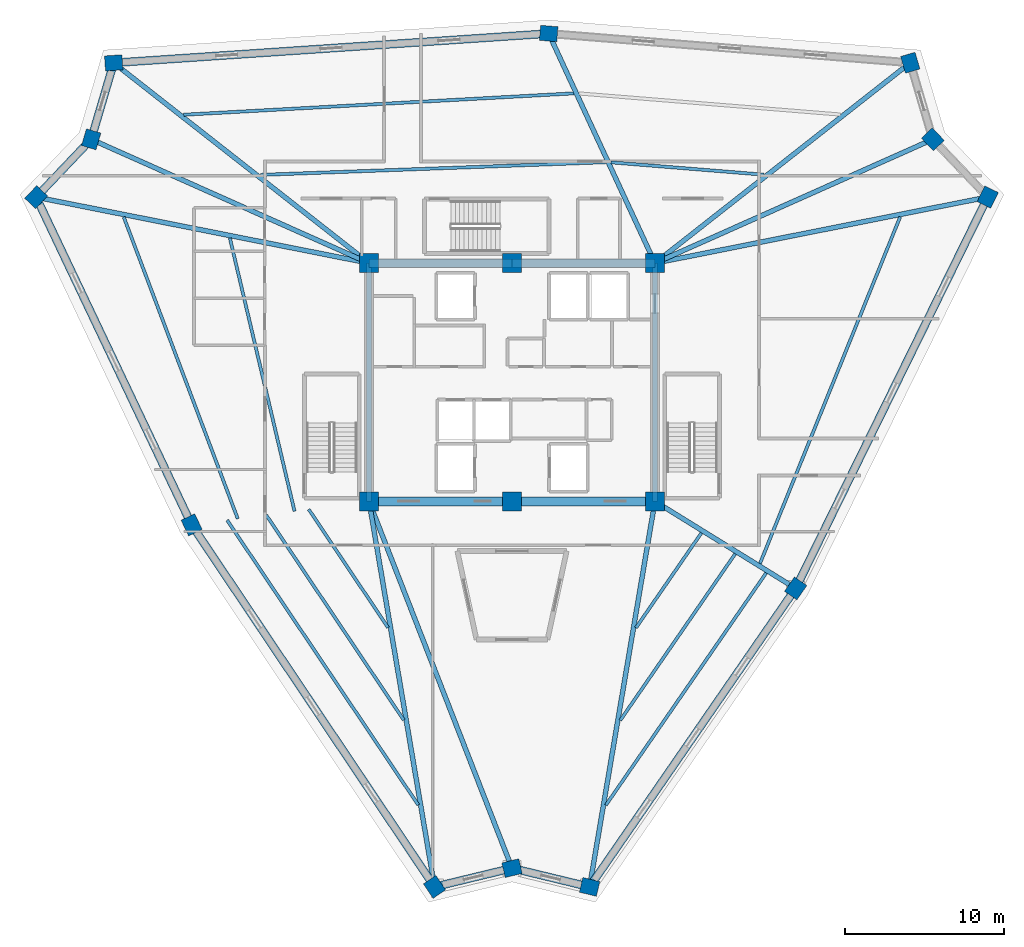
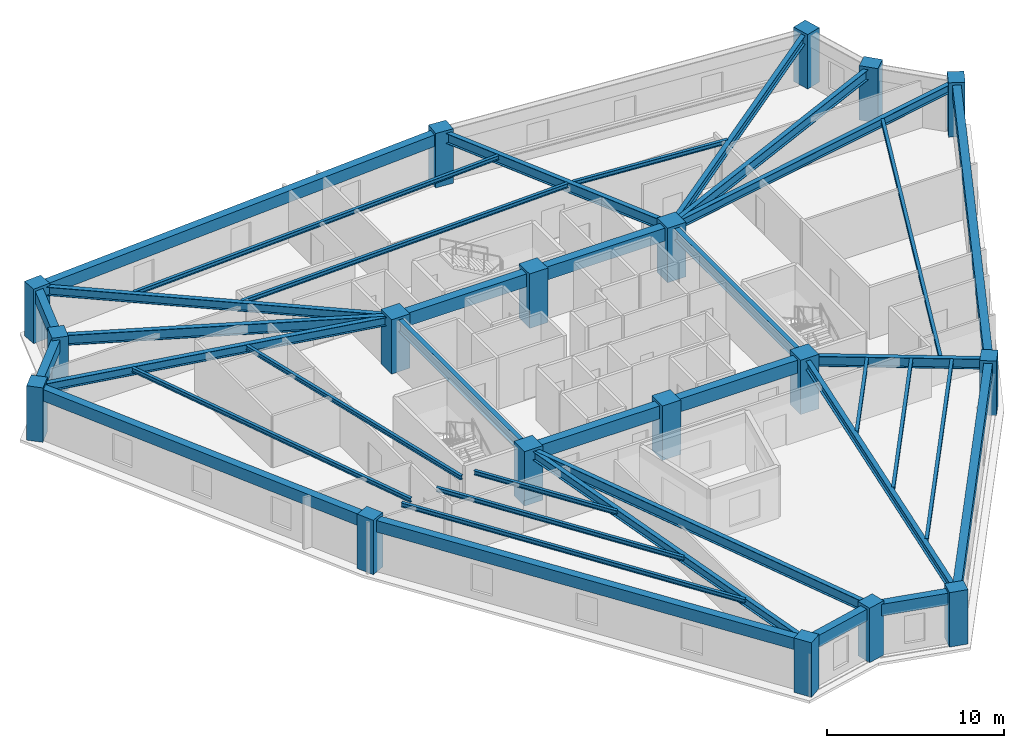
# One storey, part 1 of 10: 38 beams, 18 columns.
"""IFC4 building model written with IfcOpenShell, lengths in metres."""

from ifc_helpers import new_model, si_unit, direction, frame, origin, origin_2d, place, context, subcontext, project, spatial, rectangle, i_section, extrude, source, transform, mapped, material, material_profile, profile_set, type_object, element, save


model = new_model("IFC4")

# Units and contexts
model_context = context("Model", 3, precision=1e-05, world=origin(), true_north=direction((0.0, 1.0)))
body_context = subcontext(model_context, "Body", "Model", "MODEL_VIEW")
ifc_project = project(units=[si_unit("LENGTHUNIT", "METRE"), si_unit("AREAUNIT", "SQUARE_METRE"), si_unit("VOLUMEUNIT", "CUBIC_METRE"), si_unit("PLANEANGLEUNIT", "RADIAN"), si_unit("MASSUNIT", "GRAM", prefix="KILO")], contexts=[model_context])

# Site, building, storey
site_placement = place(None, origin())
site = spatial("IfcSite", under=ifc_project, at=site_placement, CompositionType="ELEMENT")
building_placement = place(site_placement, origin())
building = spatial("IfcBuilding", under=site, at=building_placement, Name="Liaohun Quay Tower", CompositionType="ELEMENT")
storey_placement = place(building_placement, frame((0.0, 0.0, 309.0)))
storey = spatial("IfcBuildingStorey", under=building, at=storey_placement, Name="L80", CompositionType="ELEMENT", Elevation=309.0)

# Columns
ifc_material_1 = material(Name="Concrete C50", Category="concrete")
ifc_material_profile_1 = material_profile(ifc_material_1, rectangle(XDim=1.199951171875, YDim=1.199951171875, at=origin_2d()), Name="RC1200x1200")
ifc_profile_set_1 = profile_set([ifc_material_profile_1], Name="Concrete C50")
column_type_1 = type_object("IfcColumnType", Name="COL-CC-Z4", PredefinedType="COLUMN", material=ifc_profile_set_1)
shared_shape_1 = source(origin(), body_context, "Body", "SweptSolid", [
    extrude(rectangle(XDim=1.199951171875, YDim=1.199951171875, at=origin_2d()), origin(), (0.0, 0.0, 1.0), 3.75),
])
for number, where, z_axis, x_axis, name in (
    (1, (51.0, 46.5, 0.0), (0.0, 0.0, 1.0), (1.0, 0.0, 0.0), "L80 Core Column CC1"),
    (2, (60.0, 46.5, 0.0), (0.0, 0.0, 1.0), (1.0, 0.0, 0.0), "L80 Core Column CC2"),
    (3, (69.0, 46.5, 0.0), (0.0, 0.0, 1.0), (1.0, 0.0, 0.0), "L80 Core Column CC3"),
    (4, (69.0, 61.5, 0.0), (0.0, 0.0, 1.0), (1.0, 0.0, 0.0), "L80 Core Column CC4"),
    (5, (60.0, 61.5, 0.0), (0.0, 0.0, 1.0), (1.0, 0.0, 0.0), "L80 Core Column CC5"),
    (6, (51.0, 61.5, 0.0), (0.0, 0.0, 1.0), (1.0, 0.0, 0.0), "L80 Core Column CC6"),
):
    element("IfcColumn", number, at=place(storey_placement, frame(where, z_axis=z_axis, x_axis=x_axis)), inside=storey, type_object=column_type_1, Name=name, PredefinedType="COLUMN", context=body_context, shape_type="MappedRepresentation", body=[
        mapped(shared_shape_1, transform((0.0, 0.0, 0.0), x_axis=(1.0, 0.0, 0.0), y_axis=(0.0, 1.0, 0.0), z_axis=(0.0, 0.0, 1.0), scale=1.0)),
    ])
ifc_material_profile_2 = material_profile(ifc_material_1, rectangle(XDim=1.10009765625, YDim=0.949951171875, at=origin_2d()), Name="RC1100x950")
ifc_profile_set_2 = profile_set([ifc_material_profile_2], Name="Concrete C50")
column_type_2 = type_object("IfcColumnType", Name="COL-PIER-Z4", PredefinedType="COLUMN", material=ifc_profile_set_2)
shared_shape_2 = source(origin(), body_context, "Body", "SweptSolid", [
    extrude(rectangle(XDim=1.10009765625, YDim=0.949951171875, at=origin_2d()), origin(), (0.0, 0.0, 1.0), 3.75),
])
for number, where, z_axis, x_axis, name in (
    (7, (55.123046875, 22.22998046875, 0.0), (0.0, 0.0, 1.0), (-0.557165515219, 0.830401462336, 0.0), "L80 Perimeter Pier PC01"),
    (8, (39.8310546875, 45.02197265625, 0.0), (0.0, 0.0, 1.0), (-0.428619783775, 0.903484964433, 0.0), "L80 Perimeter Pier PC02"),
    (9, (30.0419921875, 65.655029296875, 0.0), (0.0, 0.0, 1.0), (0.68936671806, 0.724412539946, 0.0), "L80 Perimeter Pier PC03"),
    (10, (33.507080078125, 69.2958984375, 0.0), (0.0, 0.0, 1.0), (0.282508884416, 0.959264682049, 0.0), "L80 Perimeter Pier PC04"),
    (11, (34.925048828125, 74.10888671875, 0.0), (0.0, 0.0, 1.0), (0.997731519333, 0.067318759124, 0.0), "L80 Perimeter Pier PC05"),
    (12, (62.30908203125, 75.9560546875, 0.0), (0.0, 0.0, 1.0), (-0.996750823024, 0.080546860903, 0.0), "L80 Perimeter Pier PC06"),
    (13, (85.072998046875, 74.116943359375, 0.0), (0.0, 0.0, 1.0), (-0.282508884416, 0.959264682049, 0.0), "L80 Perimeter Pier PC07"),
    (14, (86.492919921875, 69.2958984375, 0.0), (0.0, 0.0, 1.0), (-0.68936671806, 0.724412539946, 0.0), "L80 Perimeter Pier PC08"),
    (15, (89.951904296875, 65.660888671875, 0.0), (0.0, 0.0, 1.0), (0.440566004113, 0.897720221461, 0.0), "L80 Perimeter Pier PC09"),
    (16, (77.860107421875, 41.02197265625, 0.0), (0.0, 0.0, 1.0), (0.568131039249, 0.82293810353, 0.0), "L80 Perimeter Pier PC10"),
    (17, (64.885009765625, 22.22802734375, 0.0), (0.0, 0.0, 1.0), (-0.972043021443, 0.234802820391, 0.0), "L80 Perimeter Pier PC11"),
    (18, (60.0, 23.407958984375, 0.0), (0.0, 0.0, 1.0), (0.972043021443, 0.234802820391, 0.0), "L80 Perimeter Pier PC12"),
):
    element("IfcColumn", number, at=place(storey_placement, frame(where, z_axis=z_axis, x_axis=x_axis)), inside=storey, type_object=column_type_2, Name=name, PredefinedType="COLUMN", context=body_context, shape_type="MappedRepresentation", body=[
        mapped(shared_shape_2, transform((0.0, 0.0, 0.0), x_axis=(1.0, 0.0, 0.0), y_axis=(0.0, 1.0, 0.0), z_axis=(0.0, 0.0, 1.0), scale=1.0)),
    ])

# Beams
ifc_material_2 = material(Name="Steel Q355D", Category="steel")
ifc_material_profile_3 = material_profile(ifc_material_2, i_section(OverallWidth=0.300048828125, OverallDepth=0.800048828125, WebThickness=0.013916015625, FlangeThickness=0.02587890625, at=origin_2d()), Name="HN800x300x14x26")
ifc_profile_set_3 = profile_set([ifc_material_profile_3], Name="Steel Q355D")
beam_type_1 = type_object("IfcBeamType", Name="BM-RAD-M1", PredefinedType="BEAM", material=ifc_profile_set_3)
shared_shape_3 = source(origin(), body_context, "Body", "SweptSolid", [
    extrude(i_section(OverallWidth=0.300048828125, OverallDepth=0.800048828125, WebThickness=0.013916015625, FlangeThickness=0.02587890625, at=origin_2d()), origin(), (0.0, 0.0, 1.0), 15.0),
])
for number, where, z_axis, x_axis, name in (
    (19, (69.0, 46.5, 3.169921875), (0.0, 1.0, 0.0), (-1.0, 0.0, 0.0), "L80 Core Coupling/Ring Beam CC3-CC4"),
    (20, (51.0, 61.5, 3.169921875), (0.0, -1.0, 0.0), (1.0, 0.0, 0.0), "L80 Core Coupling/Ring Beam CC6-CC1"),
):
    element("IfcBeam", number, at=place(storey_placement, frame(where, z_axis=z_axis, x_axis=x_axis)), inside=storey, type_object=beam_type_1, Name=name, PredefinedType="BEAM", context=body_context, shape_type="MappedRepresentation", body=[
        mapped(shared_shape_3, transform((0.0, 0.0, 0.0), x_axis=(1.0, 0.0, 0.0), y_axis=(0.0, 1.0, 0.0), z_axis=(0.0, 0.0, 1.0), scale=1.0)),
    ])
ifc_material_3 = material(Name="Concrete C55", Category="concrete")
ifc_material_profile_4 = material_profile(ifc_material_3, rectangle(XDim=0.550048828125, YDim=0.89990234375, at=origin_2d()), Name="RC550x900")
ifc_profile_set_4 = profile_set([ifc_material_profile_4], Name="Concrete C55")
beam_type_2 = type_object("IfcBeamType", Name="BM-CPL-2", PredefinedType="LINTEL", material=ifc_profile_set_4)
shared_shape_4 = source(origin(), body_context, "Body", "SweptSolid", [
    extrude(rectangle(XDim=0.550048828125, YDim=0.89990234375, at=origin_2d()), origin(), (0.0, 0.0, 1.0), 9.0),
])
for number, where, z_axis, x_axis, name in (
    (21, (51.0, 46.5, 3.1201171875), (1.0, 0.0, 0.0), (0.0, 1.0, 0.0), "L80 Core Coupling/Ring Beam CC1-CC2"),
    (22, (60.0, 46.5, 3.1201171875), (1.0, 0.0, 0.0), (0.0, 1.0, 0.0), "L80 Core Coupling/Ring Beam CC2-CC3"),
    (23, (69.0, 61.5, 3.1201171875), (-1.0, 0.0, 0.0), (0.0, -1.0, 0.0), "L80 Core Coupling/Ring Beam CC4-CC5"),
    (24, (60.0, 61.5, 3.1201171875), (-1.0, 0.0, 0.0), (0.0, -1.0, 0.0), "L80 Core Coupling/Ring Beam CC5-CC6"),
):
    element("IfcBeam", number, at=place(storey_placement, frame(where, z_axis=z_axis, x_axis=x_axis)), inside=storey, type_object=beam_type_2, Name=name, PredefinedType="LINTEL", context=body_context, shape_type="MappedRepresentation", body=[
        mapped(shared_shape_4, transform((0.0, 0.0, 0.0), x_axis=(1.0, 0.0, 0.0), y_axis=(0.0, 1.0, 0.0), z_axis=(0.0, 0.0, 1.0), scale=1.0)),
    ])
ifc_material_profile_5 = material_profile(ifc_material_2, i_section(OverallWidth=0.300048828125, OverallDepth=0.587890625, WebThickness=0.011962890625, FlangeThickness=0.02001953125, at=origin_2d()), Name="HM588x300x12x20")
ifc_profile_set_5 = profile_set([ifc_material_profile_5], Name="Steel Q355D")
beam_type_3 = type_object("IfcBeamType", Name="BM-RAD-U2", PredefinedType="BEAM", material=ifc_profile_set_5)
shared_shape_5 = source(origin(), body_context, "Body", "SweptSolid", [
    extrude(i_section(OverallWidth=0.300048828125, OverallDepth=0.587890625, WebThickness=0.011962890625, FlangeThickness=0.02001953125, at=origin_2d()), origin(), (0.0, 0.0, 1.0), 24.61767578125),
])
beam_1_placement = place(storey_placement, frame((51.0, 46.5, 3.27587890625), z_axis=(0.167482720007, -0.985875011601, 0.0), x_axis=(0.985875011601, 0.167482720007, 0.0)))
element("IfcBeam", 25, at=beam_1_placement, inside=storey, type_object=beam_type_3, Name="L80 Radial Primary Girder CC1-PC01", PredefinedType="BEAM", context=body_context, shape_type="MappedRepresentation", body=[
    mapped(shared_shape_5, transform((0.0, 0.0, 0.0), x_axis=(1.0, 0.0, 0.0), y_axis=(0.0, 1.0, 0.0), z_axis=(0.0, 0.0, 1.0), scale=1.0)),
])
shared_shape_6 = source(origin(), body_context, "Body", "SweptSolid", [
    extrude(i_section(OverallWidth=0.300048828125, OverallDepth=0.587890625, WebThickness=0.011962890625, FlangeThickness=0.02001953125, at=origin_2d()), origin(), (0.0, 0.0, 1.0), 21.365966796875),
])
beam_2_placement = place(storey_placement, frame((51.0, 61.5, 3.27587890625), z_axis=(-0.980908469538, 0.194469983261, 0.0), x_axis=(-0.194469983261, -0.980908469538, 0.0)))
element("IfcBeam", 26, at=beam_2_placement, inside=storey, type_object=beam_type_3, Name="L80 Radial Primary Girder CC6-PC03", PredefinedType="BEAM", context=body_context, shape_type="MappedRepresentation", body=[
    mapped(shared_shape_6, transform((0.0, 0.0, 0.0), x_axis=(1.0, 0.0, 0.0), y_axis=(0.0, 1.0, 0.0), z_axis=(0.0, 0.0, 1.0), scale=1.0)),
])
ifc_material_profile_6 = material_profile(ifc_material_2, i_section(OverallWidth=0.300048828125, OverallDepth=0.699951171875, WebThickness=0.012939453125, FlangeThickness=0.02392578125, at=origin_2d()), Name="HN700x300x13x24")
ifc_profile_set_6 = profile_set([ifc_material_profile_6], Name="Steel Q355D")
beam_type_4 = type_object("IfcBeamType", Name="BM-RAD-U1", PredefinedType="BEAM", material=ifc_profile_set_6)
shared_shape_7 = source(origin(), body_context, "Body", "SweptSolid", [
    extrude(i_section(OverallWidth=0.300048828125, OverallDepth=0.699951171875, WebThickness=0.012939453125, FlangeThickness=0.02392578125, at=origin_2d()), origin(), (0.0, 0.0, 1.0), 19.1513671875),
])
for number, where, z_axis, x_axis, name in (
    (27, (51.0, 61.5, 3.219970703125), (-0.913398940203, 0.407065567244, 0.0), (-0.407065567244, -0.913398940203, 0.0), "L80 Radial Primary Girder CC6-PC04"),
    (28, (69.0, 61.5, 3.219970703125), (0.913398940203, 0.407065567244, 0.0), (-0.407065567244, 0.913398940203, 0.0), "L80 Radial Primary Girder CC4-PC08"),
):
    element("IfcBeam", number, at=place(storey_placement, frame(where, z_axis=z_axis, x_axis=x_axis)), inside=storey, type_object=beam_type_4, Name=name, PredefinedType="BEAM", context=body_context, shape_type="MappedRepresentation", body=[
        mapped(shared_shape_7, transform((0.0, 0.0, 0.0), x_axis=(1.0, 0.0, 0.0), y_axis=(0.0, 1.0, 0.0), z_axis=(0.0, 0.0, 1.0), scale=1.0)),
    ])
shared_shape_8 = source(origin(), body_context, "Body", "SweptSolid", [
    extrude(i_section(OverallWidth=0.300048828125, OverallDepth=0.587890625, WebThickness=0.011962890625, FlangeThickness=0.02001953125, at=origin_2d()), origin(), (0.0, 0.0, 1.0), 20.43017578125),
])
beam_3_placement = place(storey_placement, frame((51.0, 61.5, 3.27587890625), z_axis=(-0.786827701717, 0.617172721214, 0.0), x_axis=(-0.617172721214, -0.786827701717, 0.0)))
element("IfcBeam", 29, at=beam_3_placement, inside=storey, type_object=beam_type_3, Name="L80 Radial Primary Girder CC6-PC05", PredefinedType="BEAM", context=body_context, shape_type="MappedRepresentation", body=[
    mapped(shared_shape_8, transform((0.0, 0.0, 0.0), x_axis=(1.0, 0.0, 0.0), y_axis=(0.0, 1.0, 0.0), z_axis=(0.0, 0.0, 1.0), scale=1.0)),
])
shared_shape_9 = source(origin(), body_context, "Body", "SweptSolid", [
    extrude(i_section(OverallWidth=0.300048828125, OverallDepth=0.699951171875, WebThickness=0.012939453125, FlangeThickness=0.02392578125, at=origin_2d()), origin(), (0.0, 0.0, 1.0), 15.929443359375),
])
beam_4_placement = place(storey_placement, frame((69.0, 61.5, 3.219970703125), z_axis=(-0.420035684894, 0.907507588627, 0.0), x_axis=(-0.907507588627, -0.420035684894, 0.0)))
element("IfcBeam", 30, at=beam_4_placement, inside=storey, type_object=beam_type_4, Name="L80 Radial Primary Girder CC4-PC06", PredefinedType="BEAM", context=body_context, shape_type="MappedRepresentation", body=[
    mapped(shared_shape_9, transform((0.0, 0.0, 0.0), x_axis=(1.0, 0.0, 0.0), y_axis=(0.0, 1.0, 0.0), z_axis=(0.0, 0.0, 1.0), scale=1.0)),
])
shared_shape_10 = source(origin(), body_context, "Body", "SweptSolid", [
    extrude(i_section(OverallWidth=0.300048828125, OverallDepth=0.587890625, WebThickness=0.011962890625, FlangeThickness=0.02001953125, at=origin_2d()), origin(), (0.0, 0.0, 1.0), 20.43359375),
])
beam_5_placement = place(storey_placement, frame((69.0, 61.5, 3.27587890625), z_axis=(0.786599771307, 0.617463197105, 0.0), x_axis=(-0.617463197105, 0.786599771307, 0.0)))
element("IfcBeam", 31, at=beam_5_placement, inside=storey, type_object=beam_type_3, Name="L80 Radial Primary Girder CC4-PC07", PredefinedType="BEAM", context=body_context, shape_type="MappedRepresentation", body=[
    mapped(shared_shape_10, transform((0.0, 0.0, 0.0), x_axis=(1.0, 0.0, 0.0), y_axis=(0.0, 1.0, 0.0), z_axis=(0.0, 0.0, 1.0), scale=1.0)),
])
shared_shape_11 = source(origin(), body_context, "Body", "SweptSolid", [
    extrude(i_section(OverallWidth=0.300048828125, OverallDepth=0.587890625, WebThickness=0.011962890625, FlangeThickness=0.02001953125, at=origin_2d()), origin(), (0.0, 0.0, 1.0), 21.361083984375),
])
beam_6_placement = place(storey_placement, frame((69.0, 61.5, 3.27587890625), z_axis=(0.980845286904, 0.194788406119, 0.0), x_axis=(-0.194788406119, 0.980845286904, 0.0)))
element("IfcBeam", 32, at=beam_6_placement, inside=storey, type_object=beam_type_3, Name="L80 Radial Primary Girder CC4-PC09", PredefinedType="BEAM", context=body_context, shape_type="MappedRepresentation", body=[
    mapped(shared_shape_11, transform((0.0, 0.0, 0.0), x_axis=(1.0, 0.0, 0.0), y_axis=(0.0, 1.0, 0.0), z_axis=(0.0, 0.0, 1.0), scale=1.0)),
])
shared_shape_12 = source(origin(), body_context, "Body", "SweptSolid", [
    extrude(i_section(OverallWidth=0.300048828125, OverallDepth=0.699951171875, WebThickness=0.012939453125, FlangeThickness=0.02392578125, at=origin_2d()), origin(), (0.0, 0.0, 1.0), 10.416748046875),
])
beam_7_placement = place(storey_placement, frame((69.0, 46.5, 3.219970703125), z_axis=(0.850557211481, -0.525882524902, 0.0), x_axis=(0.525882524902, 0.850557211481, 0.0)))
element("IfcBeam", 33, at=beam_7_placement, inside=storey, type_object=beam_type_4, Name="L80 Radial Primary Girder CC3-PC10", PredefinedType="BEAM", context=body_context, shape_type="MappedRepresentation", body=[
    mapped(shared_shape_12, transform((0.0, 0.0, 0.0), x_axis=(1.0, 0.0, 0.0), y_axis=(0.0, 1.0, 0.0), z_axis=(0.0, 0.0, 1.0), scale=1.0)),
])
shared_shape_13 = source(origin(), body_context, "Body", "SweptSolid", [
    extrude(i_section(OverallWidth=0.300048828125, OverallDepth=0.587890625, WebThickness=0.011962890625, FlangeThickness=0.02001953125, at=origin_2d()), origin(), (0.0, 0.0, 1.0), 24.618408203125),
])
beam_8_placement = place(storey_placement, frame((69.0, 46.5, 3.27587890625), z_axis=(-0.167151528677, -0.985931217916, 0.0), x_axis=(0.985931217916, -0.167151528677, 0.0)))
element("IfcBeam", 34, at=beam_8_placement, inside=storey, type_object=beam_type_3, Name="L80 Radial Primary Girder CC3-PC11", PredefinedType="BEAM", context=body_context, shape_type="MappedRepresentation", body=[
    mapped(shared_shape_13, transform((0.0, 0.0, 0.0), x_axis=(1.0, 0.0, 0.0), y_axis=(0.0, 1.0, 0.0), z_axis=(0.0, 0.0, 1.0), scale=1.0)),
])
shared_shape_14 = source(origin(), body_context, "Body", "SweptSolid", [
    extrude(i_section(OverallWidth=0.300048828125, OverallDepth=0.699951171875, WebThickness=0.012939453125, FlangeThickness=0.02392578125, at=origin_2d()), origin(), (0.0, 0.0, 1.0), 24.783935546875),
])
beam_9_placement = place(storey_placement, frame((51.0, 46.5, 3.219970703125), z_axis=(0.363138778468, -0.931735062973, 0.0), x_axis=(0.931735062973, 0.363138778468, 0.0)))
element("IfcBeam", 35, at=beam_9_placement, inside=storey, type_object=beam_type_4, Name="L80 Radial Primary Girder CC1-PC12", PredefinedType="BEAM", context=body_context, shape_type="MappedRepresentation", body=[
    mapped(shared_shape_14, transform((0.0, 0.0, 0.0), x_axis=(1.0, 0.0, 0.0), y_axis=(0.0, 1.0, 0.0), z_axis=(0.0, 0.0, 1.0), scale=1.0)),
])
ifc_material_profile_7 = material_profile(ifc_material_2, i_section(OverallWidth=0.199951171875, OverallDepth=0.2939453125, WebThickness=0.008056640625, FlangeThickness=0.011962890625, at=origin_2d()), Name="HM294x200x8x12")
ifc_profile_set_7 = profile_set([ifc_material_profile_7], Name="Steel Q355D")
beam_type_5 = type_object("IfcBeamType", Name="BM-SEC-J4", PredefinedType="JOIST", material=ifc_profile_set_7)
shared_shape_15 = source(origin(), body_context, "Body", "SweptSolid", [
    extrude(i_section(OverallWidth=0.199951171875, OverallDepth=0.2939453125, WebThickness=0.008056640625, FlangeThickness=0.011962890625, at=origin_2d()), origin(), (0.0, 0.0, 1.0), 8.965576171875),
])
beam_10_placement = place(storey_placement, frame((52.197998046875, 38.552001953125, 3.423095703125), z_axis=(-0.557148590197, 0.830412818086, 0.0), x_axis=(-0.830412818086, -0.557148590197, 0.0)))
element("IfcBeam", 36, at=beam_10_placement, inside=storey, type_object=beam_type_5, Name="L80 Wing Secondary Floor Joist SJ-01", PredefinedType="JOIST", context=body_context, shape_type="MappedRepresentation", body=[
    mapped(shared_shape_15, transform((0.0, 0.0, 0.0), x_axis=(1.0, 0.0, 0.0), y_axis=(0.0, 1.0, 0.0), z_axis=(0.0, 0.0, 1.0), scale=1.0)),
])
shared_shape_16 = source(origin(), body_context, "Body", "SweptSolid", [
    extrude(i_section(OverallWidth=0.199951171875, OverallDepth=0.2939453125, WebThickness=0.008056640625, FlangeThickness=0.011962890625, at=origin_2d()), origin(), (0.0, 0.0, 1.0), 15.553955078125),
])
beam_11_placement = place(storey_placement, frame((53.18798828125, 32.72705078125, 3.423095703125), z_axis=(-0.557160899617, 0.830404559199, 0.0), x_axis=(-0.830404559199, -0.557160899617, 0.0)))
element("IfcBeam", 37, at=beam_11_placement, inside=storey, type_object=beam_type_5, Name="L80 Wing Secondary Floor Joist SJ-02", PredefinedType="JOIST", context=body_context, shape_type="MappedRepresentation", body=[
    mapped(shared_shape_16, transform((0.0, 0.0, 0.0), x_axis=(1.0, 0.0, 0.0), y_axis=(0.0, 1.0, 0.0), z_axis=(0.0, 0.0, 1.0), scale=1.0)),
])
shared_shape_17 = source(origin(), body_context, "Body", "SweptSolid", [
    extrude(i_section(OverallWidth=0.199951171875, OverallDepth=0.2939453125, WebThickness=0.008056640625, FlangeThickness=0.011962890625, at=origin_2d()), origin(), (0.0, 0.0, 1.0), 21.592041015625),
])
beam_12_placement = place(storey_placement, frame((54.094970703125, 27.387939453125, 3.423095703125), z_axis=(-0.557153142682, 0.830409763671, 0.0), x_axis=(-0.830409763671, -0.557153142682, 0.0)))
element("IfcBeam", 38, at=beam_12_placement, inside=storey, type_object=beam_type_5, Name="L80 Wing Secondary Floor Joist SJ-03", PredefinedType="JOIST", context=body_context, shape_type="MappedRepresentation", body=[
    mapped(shared_shape_17, transform((0.0, 0.0, 0.0), x_axis=(1.0, 0.0, 0.0), y_axis=(0.0, 1.0, 0.0), z_axis=(0.0, 0.0, 1.0), scale=1.0)),
])
shared_shape_18 = source(origin(), body_context, "Body", "SweptSolid", [
    extrude(i_section(OverallWidth=0.199951171875, OverallDepth=0.2939453125, WebThickness=0.008056640625, FlangeThickness=0.011962890625, at=origin_2d()), origin(), (0.0, 0.0, 1.0), 17.681640625),
])
beam_13_placement = place(storey_placement, frame((46.30908203125, 45.87890625, 3.423095703125), z_axis=(-0.230352842773, 0.973107171809, 0.0), x_axis=(-0.973107171809, -0.230352842773, 0.0)))
element("IfcBeam", 39, at=beam_13_placement, inside=storey, type_object=beam_type_5, Name="L80 Wing Secondary Floor Joist SJ-04", PredefinedType="JOIST", context=body_context, shape_type="MappedRepresentation", body=[
    mapped(shared_shape_18, transform((0.0, 0.0, 0.0), x_axis=(1.0, 0.0, 0.0), y_axis=(0.0, 1.0, 0.0), z_axis=(0.0, 0.0, 1.0), scale=1.0)),
])
shared_shape_19 = source(origin(), body_context, "Body", "SweptSolid", [
    extrude(i_section(OverallWidth=0.199951171875, OverallDepth=0.2939453125, WebThickness=0.008056640625, FlangeThickness=0.011962890625, at=origin_2d()), origin(), (0.0, 0.0, 1.0), 20.314453125),
])
beam_14_placement = place(storey_placement, frame((42.735107421875, 45.406005859375, 3.423095703125), z_axis=(-0.353498258709, 0.935435182731, 0.0), x_axis=(-0.935435182731, -0.353498258709, 0.0)))
element("IfcBeam", 40, at=beam_14_placement, inside=storey, type_object=beam_type_5, Name="L80 Wing Secondary Floor Joist SJ-05", PredefinedType="JOIST", context=body_context, shape_type="MappedRepresentation", body=[
    mapped(shared_shape_19, transform((0.0, 0.0, 0.0), x_axis=(1.0, 0.0, 0.0), y_axis=(0.0, 1.0, 0.0), z_axis=(0.0, 0.0, 1.0), scale=1.0)),
])
shared_shape_20 = source(origin(), body_context, "Body", "SweptSolid", [
    extrude(i_section(OverallWidth=0.199951171875, OverallDepth=0.2939453125, WebThickness=0.008056640625, FlangeThickness=0.011962890625, at=origin_2d()), origin(), (0.0, 0.0, 1.0), 21.748779296875),
])
beam_15_placement = place(storey_placement, frame((44.158935546875, 67.055908203125, 3.423095703125), z_axis=(0.999324823136, 0.036740956226, 0.0), x_axis=(-0.036740956226, 0.999324823136, 0.0)))
element("IfcBeam", 41, at=beam_15_placement, inside=storey, type_object=beam_type_5, Name="L80 Wing Secondary Floor Joist SJ-06", PredefinedType="JOIST", context=body_context, shape_type="MappedRepresentation", body=[
    mapped(shared_shape_20, transform((0.0, 0.0, 0.0), x_axis=(1.0, 0.0, 0.0), y_axis=(0.0, 1.0, 0.0), z_axis=(0.0, 0.0, 1.0), scale=1.0)),
])
shared_shape_21 = source(origin(), body_context, "Body", "SweptSolid", [
    extrude(i_section(OverallWidth=0.199951171875, OverallDepth=0.2939453125, WebThickness=0.008056640625, FlangeThickness=0.011962890625, at=origin_2d()), origin(), (0.0, 0.0, 1.0), 24.591796875),
])
beam_16_placement = place(storey_placement, frame((39.33203125, 70.843017578125, 3.423095703125), z_axis=(0.998501104565, 0.054731564766, 0.0), x_axis=(-0.054731564766, 0.998501104565, 0.0)))
element("IfcBeam", 42, at=beam_16_placement, inside=storey, type_object=beam_type_5, Name="L80 Wing Secondary Floor Joist SJ-07", PredefinedType="JOIST", context=body_context, shape_type="MappedRepresentation", body=[
    mapped(shared_shape_21, transform((0.0, 0.0, 0.0), x_axis=(1.0, 0.0, 0.0), y_axis=(0.0, 1.0, 0.0), z_axis=(0.0, 0.0, 1.0), scale=1.0)),
])
shared_shape_22 = source(origin(), body_context, "Body", "SweptSolid", [
    extrude(i_section(OverallWidth=0.199951171875, OverallDepth=0.2939453125, WebThickness=0.008056640625, FlangeThickness=0.011962890625, at=origin_2d()), origin(), (0.0, 0.0, 1.0), 9.655517578125),
])
beam_17_placement = place(storey_placement, frame((66.22802734375, 67.846923828125, 3.423095703125), z_axis=(0.996749823222, -0.080559232288, 0.0), x_axis=(0.080559232288, 0.996749823222, 0.0)))
element("IfcBeam", 43, at=beam_17_placement, inside=storey, type_object=beam_type_5, Name="L80 Wing Secondary Floor Joist SJ-08", PredefinedType="JOIST", context=body_context, shape_type="MappedRepresentation", body=[
    mapped(shared_shape_22, transform((0.0, 0.0, 0.0), x_axis=(1.0, 0.0, 0.0), y_axis=(0.0, 1.0, 0.0), z_axis=(0.0, 0.0, 1.0), scale=1.0)),
])
shared_shape_23 = source(origin(), body_context, "Body", "SweptSolid", [
    extrude(i_section(OverallWidth=0.199951171875, OverallDepth=0.2939453125, WebThickness=0.008056640625, FlangeThickness=0.011962890625, at=origin_2d()), origin(), (0.0, 0.0, 1.0), 23.54248046875),
])
beam_18_placement = place(storey_placement, frame((84.43701171875, 64.4130859375, 3.423095703125), z_axis=(-0.374812123102, -0.927100788682, 0.0), x_axis=(0.927100788682, -0.374812123102, 0.0)))
element("IfcBeam", 44, at=beam_18_placement, inside=storey, type_object=beam_type_5, Name="L80 Wing Secondary Floor Joist SJ-11", PredefinedType="JOIST", context=body_context, shape_type="MappedRepresentation", body=[
    mapped(shared_shape_23, transform((0.0, 0.0, 0.0), x_axis=(1.0, 0.0, 0.0), y_axis=(0.0, 1.0, 0.0), z_axis=(0.0, 0.0, 1.0), scale=1.0)),
])
shared_shape_24 = source(origin(), body_context, "Body", "SweptSolid", [
    extrude(i_section(OverallWidth=0.199951171875, OverallDepth=0.2939453125, WebThickness=0.008056640625, FlangeThickness=0.011962890625, at=origin_2d()), origin(), (0.0, 0.0, 1.0), 7.259033203125),
])
beam_19_placement = place(storey_placement, frame((71.927001953125, 44.513916015625, 3.423095703125), z_axis=(-0.568116426812, -0.822948191313, 0.0), x_axis=(0.822948191313, -0.568116426812, 0.0)))
element("IfcBeam", 45, at=beam_19_placement, inside=storey, type_object=beam_type_5, Name="L80 Wing Secondary Floor Joist SJ-12", PredefinedType="JOIST", context=body_context, shape_type="MappedRepresentation", body=[
    mapped(shared_shape_24, transform((0.0, 0.0, 0.0), x_axis=(1.0, 0.0, 0.0), y_axis=(0.0, 1.0, 0.0), z_axis=(0.0, 0.0, 1.0), scale=1.0)),
])
shared_shape_25 = source(origin(), body_context, "Body", "SweptSolid", [
    extrude(i_section(OverallWidth=0.199951171875, OverallDepth=0.2939453125, WebThickness=0.008056640625, FlangeThickness=0.011962890625, at=origin_2d()), origin(), (0.0, 0.0, 1.0), 12.740478515625),
])
beam_20_placement = place(storey_placement, frame((74.052978515625, 43.198974609375, 3.423095703125), z_axis=(-0.568110386388, -0.822952361245, 0.0), x_axis=(0.822952361245, -0.568110386388, 0.0)))
element("IfcBeam", 46, at=beam_20_placement, inside=storey, type_object=beam_type_5, Name="L80 Wing Secondary Floor Joist SJ-13", PredefinedType="JOIST", context=body_context, shape_type="MappedRepresentation", body=[
    mapped(shared_shape_25, transform((0.0, 0.0, 0.0), x_axis=(1.0, 0.0, 0.0), y_axis=(0.0, 1.0, 0.0), z_axis=(0.0, 0.0, 1.0), scale=1.0)),
])
shared_shape_26 = source(origin(), body_context, "Body", "SweptSolid", [
    extrude(i_section(OverallWidth=0.199951171875, OverallDepth=0.2939453125, WebThickness=0.008056640625, FlangeThickness=0.011962890625, at=origin_2d()), origin(), (0.0, 0.0, 1.0), 17.7646484375),
])
beam_21_placement = place(storey_placement, frame((76.0029296875, 41.993896484375, 3.423095703125), z_axis=(-0.568153269859, -0.82292275576, 0.0), x_axis=(0.82292275576, -0.568153269859, 0.0)))
element("IfcBeam", 47, at=beam_21_placement, inside=storey, type_object=beam_type_5, Name="L80 Wing Secondary Floor Joist SJ-14", PredefinedType="JOIST", context=body_context, shape_type="MappedRepresentation", body=[
    mapped(shared_shape_26, transform((0.0, 0.0, 0.0), x_axis=(1.0, 0.0, 0.0), y_axis=(0.0, 1.0, 0.0), z_axis=(0.0, 0.0, 1.0), scale=1.0)),
])
ifc_material_4 = material(Name="Precast concrete C50", Category="concrete")
ifc_material_profile_8 = material_profile(ifc_material_4, rectangle(XDim=0.5, YDim=0.800048828125, at=origin_2d()), Name="RC500x800")
ifc_profile_set_8 = profile_set([ifc_material_profile_8], Name="Precast concrete C50")
beam_type_6 = type_object("IfcBeamType", Name="BM-SPD-Z4", PredefinedType="SPANDREL", material=ifc_profile_set_8)
shared_shape_27 = source(origin(), body_context, "Body", "SweptSolid", [
    extrude(rectangle(XDim=0.5, YDim=0.800048828125, at=origin_2d()), origin(), (0.0, 0.0, 1.0), 27.44677734375),
])
beam_22_placement = place(storey_placement, frame((55.123046875, 22.22998046875, 3.169921875), z_axis=(-0.557152826308, 0.830409975938, 0.0), x_axis=(-0.830409975938, -0.557152826308, 0.0)))
element("IfcBeam", 48, at=beam_22_placement, inside=storey, type_object=beam_type_6, Name="L80 Precast Spandrel Beam PC01-PC02", PredefinedType="SPANDREL", context=body_context, shape_type="MappedRepresentation", body=[
    mapped(shared_shape_27, transform((0.0, 0.0, 0.0), x_axis=(1.0, 0.0, 0.0), y_axis=(0.0, 1.0, 0.0), z_axis=(0.0, 0.0, 1.0), scale=1.0)),
])
shared_shape_28 = source(origin(), body_context, "Body", "SweptSolid", [
    extrude(rectangle(XDim=0.5, YDim=0.800048828125, at=origin_2d()), origin(), (0.0, 0.0, 1.0), 22.83740234375),
])
beam_23_placement = place(storey_placement, frame((39.8310546875, 45.02197265625, 3.169921875), z_axis=(-0.428640929659, 0.90347493237, 0.0), x_axis=(-0.90347493237, -0.428640929659, 0.0)))
element("IfcBeam", 49, at=beam_23_placement, inside=storey, type_object=beam_type_6, Name="L80 Precast Spandrel Beam PC02-PC03", PredefinedType="SPANDREL", context=body_context, shape_type="MappedRepresentation", body=[
    mapped(shared_shape_28, transform((0.0, 0.0, 0.0), x_axis=(1.0, 0.0, 0.0), y_axis=(0.0, 1.0, 0.0), z_axis=(0.0, 0.0, 1.0), scale=1.0)),
])
shared_shape_29 = source(origin(), body_context, "Body", "SweptSolid", [
    extrude(rectangle(XDim=0.5, YDim=0.800048828125, at=origin_2d()), origin(), (0.0, 0.0, 1.0), 5.026123046875),
])
beam_24_placement = place(storey_placement, frame((30.0419921875, 65.655029296875, 3.169921875), z_axis=(0.689404061854, 0.724377000946, 0.0), x_axis=(-0.724377000946, 0.689404061854, 0.0)))
element("IfcBeam", 50, at=beam_24_placement, inside=storey, type_object=beam_type_6, Name="L80 Precast Spandrel Beam PC03-PC04", PredefinedType="SPANDREL", context=body_context, shape_type="MappedRepresentation", body=[
    mapped(shared_shape_29, transform((0.0, 0.0, 0.0), x_axis=(1.0, 0.0, 0.0), y_axis=(0.0, 1.0, 0.0), z_axis=(0.0, 0.0, 1.0), scale=1.0)),
])
shared_shape_30 = source(origin(), body_context, "Body", "SweptSolid", [
    extrude(rectangle(XDim=0.5, YDim=0.800048828125, at=origin_2d()), origin(), (0.0, 0.0, 1.0), 5.017578125),
])
beam_25_placement = place(storey_placement, frame((33.507080078125, 69.2958984375, 3.169921875), z_axis=(0.282603593627, 0.959236784568, 0.0), x_axis=(-0.959236784568, 0.282603593627, 0.0)))
element("IfcBeam", 51, at=beam_25_placement, inside=storey, type_object=beam_type_6, Name="L80 Precast Spandrel Beam PC04-PC05", PredefinedType="SPANDREL", context=body_context, shape_type="MappedRepresentation", body=[
    mapped(shared_shape_30, transform((0.0, 0.0, 0.0), x_axis=(1.0, 0.0, 0.0), y_axis=(0.0, 1.0, 0.0), z_axis=(0.0, 0.0, 1.0), scale=1.0)),
])
shared_shape_31 = source(origin(), body_context, "Body", "SweptSolid", [
    extrude(rectangle(XDim=0.5, YDim=0.800048828125, at=origin_2d()), origin(), (0.0, 0.0, 1.0), 27.4462890625),
])
beam_26_placement = place(storey_placement, frame((34.925048828125, 74.10888671875, 3.169921875), z_axis=(0.997732700008, 0.067301258042, 0.0), x_axis=(-0.067301258042, 0.997732700008, 0.0)))
element("IfcBeam", 52, at=beam_26_placement, inside=storey, type_object=beam_type_6, Name="L80 Precast Spandrel Beam PC05-PC06", PredefinedType="SPANDREL", context=body_context, shape_type="MappedRepresentation", body=[
    mapped(shared_shape_31, transform((0.0, 0.0, 0.0), x_axis=(1.0, 0.0, 0.0), y_axis=(0.0, 1.0, 0.0), z_axis=(0.0, 0.0, 1.0), scale=1.0)),
])
shared_shape_32 = source(origin(), body_context, "Body", "SweptSolid", [
    extrude(rectangle(XDim=0.5, YDim=0.800048828125, at=origin_2d()), origin(), (0.0, 0.0, 1.0), 27.446044921875),
])
beam_27_placement = place(storey_placement, frame((89.951904296875, 65.660888671875, 3.169921875), z_axis=(-0.440565408616, -0.897720513708, 0.0), x_axis=(0.897720513708, -0.440565408616, 0.0)))
element("IfcBeam", 53, at=beam_27_placement, inside=storey, type_object=beam_type_6, Name="L80 Precast Spandrel Beam PC09-PC10", PredefinedType="SPANDREL", context=body_context, shape_type="MappedRepresentation", body=[
    mapped(shared_shape_32, transform((0.0, 0.0, 0.0), x_axis=(1.0, 0.0, 0.0), y_axis=(0.0, 1.0, 0.0), z_axis=(0.0, 0.0, 1.0), scale=1.0)),
])
shared_shape_33 = source(origin(), body_context, "Body", "SweptSolid", [
    extrude(rectangle(XDim=0.5, YDim=0.800048828125, at=origin_2d()), origin(), (0.0, 0.0, 1.0), 22.837890625),
])
beam_28_placement = place(storey_placement, frame((77.860107421875, 41.02197265625, 3.169921875), z_axis=(-0.568141077434, -0.822931173387, 0.0), x_axis=(0.822931173387, -0.568141077434, 0.0)))
element("IfcBeam", 54, at=beam_28_placement, inside=storey, type_object=beam_type_6, Name="L80 Precast Spandrel Beam PC10-PC11", PredefinedType="SPANDREL", context=body_context, shape_type="MappedRepresentation", body=[
    mapped(shared_shape_33, transform((0.0, 0.0, 0.0), x_axis=(1.0, 0.0, 0.0), y_axis=(0.0, 1.0, 0.0), z_axis=(0.0, 0.0, 1.0), scale=1.0)),
])
shared_shape_34 = source(origin(), body_context, "Body", "SweptSolid", [
    extrude(rectangle(XDim=0.5, YDim=0.800048828125, at=origin_2d()), origin(), (0.0, 0.0, 1.0), 5.025390625),
])
beam_29_placement = place(storey_placement, frame((64.885009765625, 22.22802734375, 3.169921875), z_axis=(-0.972046280401, 0.234789328461, 0.0), x_axis=(-0.234789328461, -0.972046280401, 0.0)))
element("IfcBeam", 55, at=beam_29_placement, inside=storey, type_object=beam_type_6, Name="L80 Precast Spandrel Beam PC11-PC12", PredefinedType="SPANDREL", context=body_context, shape_type="MappedRepresentation", body=[
    mapped(shared_shape_34, transform((0.0, 0.0, 0.0), x_axis=(1.0, 0.0, 0.0), y_axis=(0.0, 1.0, 0.0), z_axis=(0.0, 0.0, 1.0), scale=1.0)),
])
shared_shape_35 = source(origin(), body_context, "Body", "SweptSolid", [
    extrude(rectangle(XDim=0.5, YDim=0.800048828125, at=origin_2d()), origin(), (0.0, 0.0, 1.0), 5.01708984375),
])
beam_30_placement = place(storey_placement, frame((60.0, 23.407958984375, 3.169921875), z_axis=(-0.972046603984, -0.234787988798, 0.0), x_axis=(0.234787988798, -0.972046603984, 0.0)))
element("IfcBeam", 56, at=beam_30_placement, inside=storey, type_object=beam_type_6, Name="L80 Precast Spandrel Beam PC12-PC01", PredefinedType="SPANDREL", context=body_context, shape_type="MappedRepresentation", body=[
    mapped(shared_shape_35, transform((0.0, 0.0, 0.0), x_axis=(1.0, 0.0, 0.0), y_axis=(0.0, 1.0, 0.0), z_axis=(0.0, 0.0, 1.0), scale=1.0)),
])

save(model, "model.ifc")
